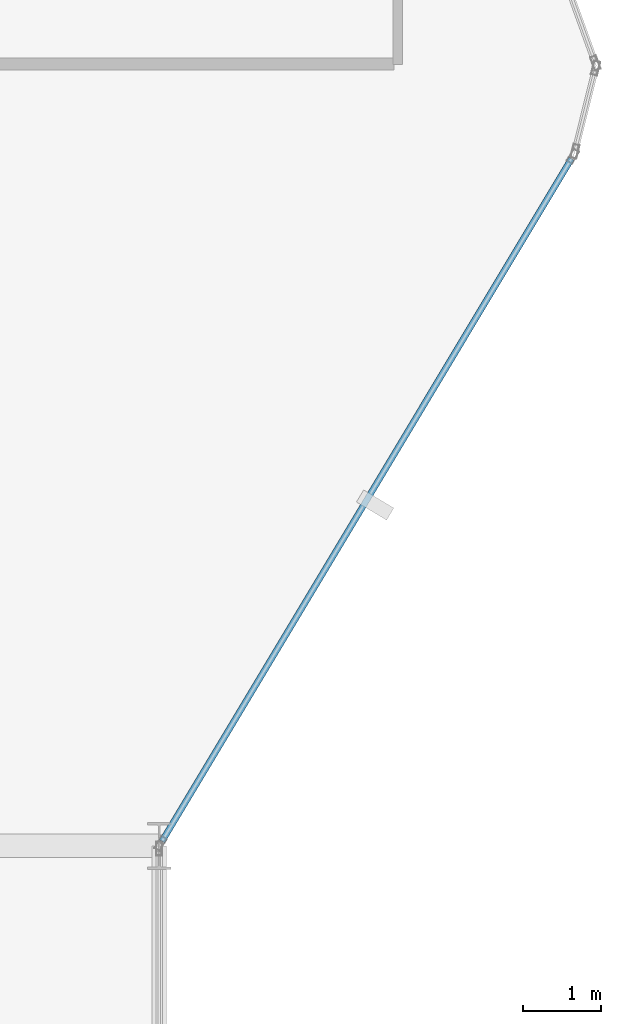
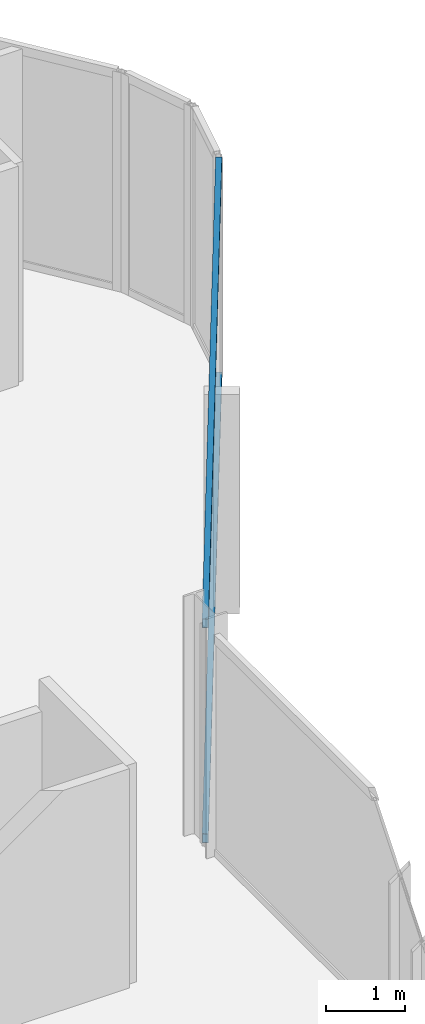
# One storey, part 13 of 29: 2 members, 1 element without a shape of its own.
"""IFC4 building model written with IfcOpenShell, lengths in metres."""

from ifc_helpers import new_model, si_unit, direction, frame, origin, origin_2d, place, context, subcontext, project, spatial, hollow_rectangle, extrude, material, layer, layer_set, material_profile, profile_set, type_object, element, aggregate, save


model = new_model("IFC4")

# Units and contexts
model_context = context("Model", 3, precision=1e-05, world=origin(), true_north=direction((0.0, 1.0)))
body_context = subcontext(model_context, "Body", "Model", "MODEL_VIEW")
ifc_project = project(units=[si_unit("LENGTHUNIT", "METRE"), si_unit("AREAUNIT", "SQUARE_METRE"), si_unit("VOLUMEUNIT", "CUBIC_METRE"), si_unit("PLANEANGLEUNIT", "RADIAN"), si_unit("MASSUNIT", "GRAM", prefix="KILO")], contexts=[model_context])

# Site, building, storey
site_placement = place(None, origin())
site = spatial("IfcSite", under=ifc_project, at=site_placement, CompositionType="ELEMENT")
building_placement = place(site_placement, origin())
building = spatial("IfcBuilding", under=site, at=building_placement, Name="Keshet Zoharim Tower", CompositionType="ELEMENT")
storey_placement = place(building_placement, frame((0.0, 0.0, 102.0)))
storey = spatial("IfcBuildingStorey", under=building, at=storey_placement, Name="L24", CompositionType="ELEMENT", Elevation=102.0)

# Curtain wall, members
ifc_material = material(Name="Aluminium 6063-T6", Category="aluminium")
ifc_layer = layer(ifc_material, 0.159912109375)
ifc_layer_set = layer_set([ifc_layer], Name="Aluminium 6063-T6")
curtain_wall_type = type_object("IfcCurtainWallType", Name="CW-SYS-03", PredefinedType="NOTDEFINED", material=ifc_layer_set)
curtain_wall_placement = place(storey_placement, origin())
curtain_wall = element("IfcCurtainWall", 1, at=curtain_wall_placement, inside=storey, type_object=curtain_wall_type, Name="L24 Unitised Curtain Wall 18", PredefinedType="NOTDEFINED")
ifc_material_profile = material_profile(ifc_material, hollow_rectangle(XDim=0.080078125, YDim=0.139892578125, WallThickness=0.00390625, at=origin_2d()), Name="TRN-80x140")
ifc_profile_set = profile_set([ifc_material_profile], Name="Aluminium 6063-T6")
member_type = type_object("IfcMemberType", Name="CWT-T14", PredefinedType="USERDEFINED", material=ifc_profile_set)
member_1_placement = place(storey_placement, frame((62.27197265625, 36.68701171875, 0.034912109375), z_axis=(-0.514467532827, -0.857509858641, 0.0), x_axis=(0.857509858641, -0.514467532827, 0.0)))
member_1 = element("IfcMember", 2, at=member_1_placement, type_object=member_type, Name="CW-03 transom 1.1", ObjectType="TRANSOM", PredefinedType="USERDEFINED", context=body_context, shape_type="SweptSolid", body=[
    extrude(hollow_rectangle(XDim=0.080078125, YDim=0.139892578125, WallThickness=0.00390625, at=origin_2d()), origin(), (0.0, 0.0, 1.0), 10.17724609375),
])
member_2_placement = place(storey_placement, frame((62.27197265625, 36.68701171875, 3.35009765625), z_axis=(-0.514467532827, -0.857509858641, 0.0), x_axis=(0.857509858641, -0.514467532827, 0.0)))
member_2 = element("IfcMember", 3, at=member_2_placement, type_object=member_type, Name="CW-03 transom 1.2", ObjectType="TRANSOM", PredefinedType="USERDEFINED", context=body_context, shape_type="SweptSolid", body=[
    extrude(hollow_rectangle(XDim=0.080078125, YDim=0.139892578125, WallThickness=0.00390625, at=origin_2d()), origin(), (0.0, 0.0, 1.0), 10.17724609375),
])
aggregate(curtain_wall, [member_1, member_2])

save(model, "model.ifc")
